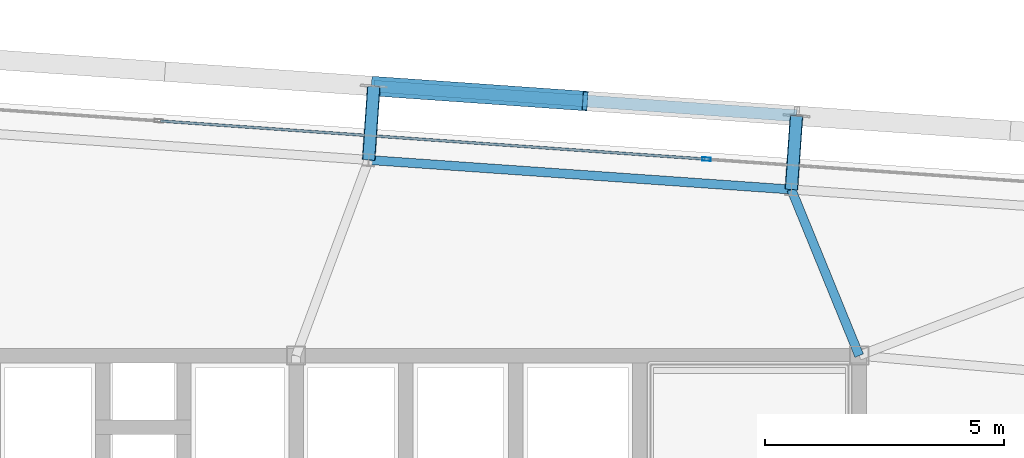
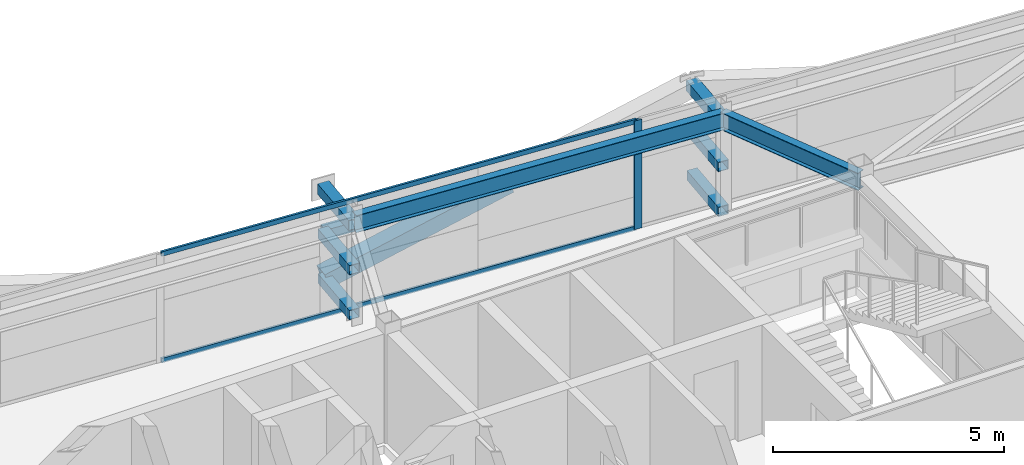
# One storey, part 23 of 39: 11 members, 2 beams, 1 element without a shape of its own.
"""IFC4 building model written with IfcOpenShell, lengths in metres."""

from ifc_helpers import new_model, si_unit, direction, frame, origin, origin_2d, place, context, subcontext, project, spatial, hollow_rectangle, i_section, extrude, source, transform, mapped, material, layer, layer_set, material_profile, profile_set, type_object, element, aggregate, save


model = new_model("IFC4")

# Units and contexts
model_context = context("Model", 3, precision=1e-05, world=origin(), true_north=direction((0.0, 1.0)))
body_context = subcontext(model_context, "Body", "Model", "MODEL_VIEW")
ifc_project = project(units=[si_unit("LENGTHUNIT", "METRE"), si_unit("AREAUNIT", "SQUARE_METRE"), si_unit("VOLUMEUNIT", "CUBIC_METRE"), si_unit("PLANEANGLEUNIT", "RADIAN"), si_unit("MASSUNIT", "GRAM", prefix="KILO")], contexts=[model_context])

# Site, building, storey
site_placement = place(None, origin())
site = spatial("IfcSite", under=ifc_project, at=site_placement, CompositionType="ELEMENT")
building_placement = place(site_placement, origin())
building = spatial("IfcBuilding", under=site, at=building_placement, Name="Taldren Reach Tower", CompositionType="ELEMENT")
storey_placement = place(building_placement, frame((0.0, 0.0, 161.35009765625)))
storey = spatial("IfcBuildingStorey", under=building, at=storey_placement, Name="L49", CompositionType="ELEMENT", Elevation=161.35009765625)

# Members
ifc_material_1 = material(Name="Steel Gr 450 (C450L0)", Category="steel")
ifc_material_profile_1 = material_profile(ifc_material_1, hollow_rectangle(XDim=0.27490234375, YDim=0.27490234375, WallThickness=0.00927734375, at=origin_2d()), Name="275x275x9.3SHS")
ifc_profile_set_1 = profile_set([ifc_material_profile_1], Name="Steel Gr 450 (C450L0)")
member_type_1 = type_object("IfcMemberType", Name="MB-TIE273", PredefinedType="STRUT", material=ifc_profile_set_1)
shared_shape_1 = source(origin(), body_context, "Body", "SweptSolid", [
    extrude(hollow_rectangle(XDim=0.27490234375, YDim=0.27490234375, WallThickness=0.00927734375, at=origin_2d()), origin(), (0.0, 0.0, 1.0), 1.550048828125),
])
for number, where, z_axis, x_axis, name in (
    (1, (40.7197265625, 36.100341796875, 2.58984375), (0.06976957191, 0.99756313426, 0.0), (-0.99756313426, 0.06976957191, 0.0), "Exoskeleton diaphragm tie strut B3-N4 L49"),
    (2, (49.578125, 35.48095703125, 2.58984375), (0.06976957191, 0.99756313426, 0.0), (-0.99756313426, 0.06976957191, 0.0), "Exoskeleton diaphragm tie strut B3-N5 L49"),
):
    element("IfcMember", number, at=place(storey_placement, frame(where, z_axis=z_axis, x_axis=x_axis)), inside=storey, type_object=member_type_1, Name=name, PredefinedType="STRUT", context=body_context, shape_type="MappedRepresentation", body=[
        mapped(shared_shape_1, transform((0.0, 0.0, 0.0), scale=1.0)),
    ])
ifc_material_2 = material(Name="Steel Gr 350 (C350L0)", Category="steel")
ifc_material_profile_2 = material_profile(ifc_material_2, hollow_rectangle(XDim=0.25, YDim=0.25, WallThickness=0.010009765625, at=origin_2d()), Name="250x250x10.0SHS")
ifc_profile_set_2 = profile_set([ifc_material_profile_2], Name="Steel Gr 350 (C350L0)")
member_type_2 = type_object("IfcMemberType", Name="MB-POST250", PredefinedType="POST", material=ifc_profile_set_2)
shared_shape_2 = source(origin(), body_context, "Body", "SweptSolid", [
    extrude(hollow_rectangle(XDim=0.25, YDim=0.25, WallThickness=0.010009765625, at=origin_2d()), origin(), (0.0, 0.0, 1.0), 1.550048828125),
])
for number, where, z_axis, x_axis, name in (
    (3, (40.7197265625, 36.100341796875, 0.219970703125), (0.06976957191, 0.99756313426, 0.0), (-0.99756313426, 0.06976957191, 0.0), "Exoskeleton base diaphragm tie strut B3-N4 L49"),
    (4, (49.578125, 35.48095703125, 0.219970703125), (0.06976957191, 0.99756313426, 0.0), (-0.99756313426, 0.06976957191, 0.0), "Exoskeleton base diaphragm tie strut B3-N5 L49"),
    (5, (40.7197265625, 36.100341796875, 1.40478515625), (0.06976957191, 0.99756313426, 0.0), (-0.99756313426, 0.06976957191, 0.0), "Exoskeleton mid-tier diaphragm tie B3-N4 L49"),
    (6, (49.578125, 35.48095703125, 1.40478515625), (0.06976957191, 0.99756313426, 0.0), (-0.99756313426, 0.06976957191, 0.0), "Exoskeleton mid-tier diaphragm tie B3-N5 L49"),
):
    element("IfcMember", number, at=place(storey_placement, frame(where, z_axis=z_axis, x_axis=x_axis)), inside=storey, type_object=member_type_2, Name=name, PredefinedType="POST", context=body_context, shape_type="MappedRepresentation", body=[
        mapped(shared_shape_2, transform((0.0, 0.0, 0.0), scale=1.0)),
    ])

# Beams
ifc_material_3 = material(Name="Steel Gr 350 (350PLUS)", Category="steel")
ifc_material_profile_3 = material_profile(ifc_material_3, i_section(OverallWidth=0.18994140625, OverallDepth=0.4541015625, WebThickness=0.008544921875, FlangeThickness=0.0126953125, at=origin_2d()), Name="460UB67.1")
ifc_profile_set_3 = profile_set([ifc_material_profile_3], Name="Steel Gr 350 (350PLUS)")
beam_type_1 = type_object("IfcBeamType", Name="SP-UB460B", PredefinedType="SPANDREL", material=ifc_profile_set_3)
shared_shape_3 = source(origin(), body_context, "Body", "SweptSolid", [
    extrude(i_section(OverallWidth=0.18994140625, OverallDepth=0.4541015625, WebThickness=0.008544921875, FlangeThickness=0.0126953125, at=origin_2d()), origin(), (0.0, 0.0, 1.0), 8.880126953125),
])
beam_1_placement = place(storey_placement, frame((49.578125, 35.48095703125, 2.642822265625), z_axis=(-0.997564479639, 0.069750333063, 0.0), x_axis=(-0.069750333063, -0.997564479639, 0.0)))
element("IfcBeam", 7, at=beam_1_placement, inside=storey, type_object=beam_type_1, Name="Perimeter spandrel B3 N5-N4 L49", PredefinedType="SPANDREL", context=body_context, shape_type="MappedRepresentation", body=[
    mapped(shared_shape_3, transform((0.0, 0.0, 0.0), scale=1.0)),
])
ifc_material_profile_4 = material_profile(ifc_material_3, i_section(OverallWidth=0.19091796875, OverallDepth=0.4599609375, WebThickness=0.010009765625, FlangeThickness=0.01611328125, at=origin_2d()), Name="460UB82.1")
ifc_profile_set_4 = profile_set([ifc_material_profile_4], Name="Steel Gr 350 (350PLUS)")
beam_type_2 = type_object("IfcBeamType", Name="BM-UB460A", PredefinedType="BEAM", material=ifc_profile_set_4)
shared_shape_4 = source(origin(), body_context, "Body", "SweptSolid", [
    extrude(i_section(OverallWidth=0.19091796875, OverallDepth=0.4599609375, WebThickness=0.010009765625, FlangeThickness=0.01611328125, at=origin_2d()), origin(), (0.0, 0.0, 1.0), 3.76025390625),
])
beam_2_placement = place(storey_placement, frame((51.0, 32.0, 2.639892578125), z_axis=(-0.37814232545, 0.925747471886, 0.0), x_axis=(-0.925747471886, -0.37814232545, 0.0)))
element("IfcBeam", 8, at=beam_2_placement, inside=storey, type_object=beam_type_2, Name="Primary floor girder B3-N5 L49", PredefinedType="BEAM", context=body_context, shape_type="MappedRepresentation", body=[
    mapped(shared_shape_4, transform((0.0, 0.0, 0.0), scale=1.0)),
])

# Members
shared_shape_5 = source(origin(), body_context, "Body", "SweptSolid", [
    extrude(hollow_rectangle(XDim=0.25, YDim=0.25, WallThickness=0.010009765625, at=origin_2d()), origin(), (0.0, 0.0, 1.0), 8.880126953125),
])
member_1_placement = place(storey_placement, frame((40.827880859375, 37.646728515625, 1.40478515625), z_axis=(0.997564479639, -0.069750333063, 0.0), x_axis=(0.069750333063, 0.997564479639, 0.0)))
element("IfcMember", 9, at=member_1_placement, inside=storey, type_object=member_type_2, Name="Exoskeleton mid-height ring chord B3-N4 L49", PredefinedType="POST", context=body_context, shape_type="MappedRepresentation", body=[
    mapped(shared_shape_5, transform((0.0, 0.0, 0.0), scale=1.0)),
])
ifc_material_profile_5 = material_profile(ifc_material_1, hollow_rectangle(XDim=0.409912109375, YDim=0.409912109375, WallThickness=0.01611328125, at=origin_2d()), Name="410x410x16.0SHS")
ifc_profile_set_5 = profile_set([ifc_material_profile_5], Name="Steel Gr 450 (C450L0)")
member_type_3 = type_object("IfcMemberType", Name="MB-EXO406", PredefinedType="BRACE", material=ifc_profile_set_5)
shared_shape_6 = source(origin(), body_context, "Body", "SweptSolid", [
    extrude(hollow_rectangle(XDim=0.409912109375, YDim=0.409912109375, WallThickness=0.01611328125, at=origin_2d()), origin(), (0.0, 0.0, 1.0), 4.595458984375),
])
member_2_placement = place(storey_placement, frame((40.827880859375, 37.646728515625, 0.219970703125), z_axis=(0.963836084766, -0.06741858624, 0.257826949585), x_axis=(0.06977769246, 0.997562566276, 0.0)))
element("IfcMember", 10, at=member_2_placement, inside=storey, type_object=member_type_3, Name="Exoskeleton Diagrid Brace B3-N4 L49", PredefinedType="BRACE", context=body_context, shape_type="MappedRepresentation", body=[
    mapped(shared_shape_6, transform((0.0, 0.0, 0.0), scale=1.0)),
])

# Curtain wall, members
ifc_material_4 = material(Name="Aluminium and Low-E Glass Unitised System", Category="aluminium")
ifc_layer = layer(ifc_material_4, 0.159912109375)
ifc_layer_set = layer_set([ifc_layer], Name="Aluminium and Low-E Glass Unitised System")
curtain_wall_type = type_object("IfcCurtainWallType", Name="CW-SYS-4", PredefinedType="NOTDEFINED", material=ifc_layer_set)
curtain_wall_placement = place(storey_placement, origin())
curtain_wall = element("IfcCurtainWall", 11, at=curtain_wall_placement, inside=storey, type_object=curtain_wall_type, Name="Unitised curtain wall CW-L49-N", PredefinedType="NOTDEFINED")
ifc_material_5 = material(Name="Anodised Aluminium 6063-T6", Category="aluminium")
ifc_material_profile_6 = material_profile(ifc_material_5, hollow_rectangle(XDim=0.054931640625, YDim=0.1201171875, WallThickness=0.0029296875, at=origin_2d()), Name="ALU-120x55x3RHS")
ifc_profile_set_6 = profile_set([ifc_material_profile_6], Name="Anodised Aluminium 6063-T6")
member_type_4 = type_object("IfcMemberType", Name="CW-TRN-135", PredefinedType="USERDEFINED", material=ifc_profile_set_6)
shared_shape_7 = source(origin(), body_context, "Body", "SweptSolid", [
    extrude(hollow_rectangle(XDim=0.054931640625, YDim=0.1201171875, WallThickness=0.0029296875, at=origin_2d()), origin(), (0.0, 0.0, 1.0), 11.429931640625),
])
member_3_placement = place(storey_placement, frame((47.76318359375, 36.119140625, 0.02734375), z_axis=(-0.997563740938, 0.069760897114, 0.0), x_axis=(-0.069760897114, -0.997563740938, 0.0)))
member_3 = element("IfcMember", 12, at=member_3_placement, type_object=member_type_4, Name="CW-4 transom 2.1", ObjectType="TRANSOM", PredefinedType="USERDEFINED", context=body_context, shape_type="MappedRepresentation", body=[
    mapped(shared_shape_7, transform((0.0, 0.0, 0.0), scale=1.0)),
])
member_4_placement = place(storey_placement, frame((47.76318359375, 36.119140625, 2.84228515625), z_axis=(-0.997563740938, 0.069760897114, 0.0), x_axis=(-0.069760897114, -0.997563740938, 0.0)))
member_4 = element("IfcMember", 13, at=member_4_placement, type_object=member_type_4, Name="CW-4 transom 2.2", ObjectType="TRANSOM", PredefinedType="USERDEFINED", context=body_context, shape_type="MappedRepresentation", body=[
    mapped(shared_shape_7, transform((0.0, 0.0, 0.0), scale=1.0)),
])
ifc_material_profile_7 = material_profile(ifc_material_5, hollow_rectangle(XDim=0.070068359375, YDim=0.179931640625, WallThickness=0.00390625, at=origin_2d()), Name="ALU-180x70x4RHS")
ifc_profile_set_7 = profile_set([ifc_material_profile_7], Name="Anodised Aluminium 6063-T6")
member_type_5 = type_object("IfcMemberType", Name="CW-MUL-180", PredefinedType="MULLION", material=ifc_profile_set_7)
shared_shape_8 = source(origin(), body_context, "Body", "SweptSolid", [
    extrude(hollow_rectangle(XDim=0.070068359375, YDim=0.179931640625, WallThickness=0.00390625, at=origin_2d()), origin(), (0.0, 0.0, 1.0), 2.869873046875),
])
member_5_placement = place(storey_placement, frame((47.798095703125, 36.11669921875, 0.0), z_axis=(0.0, 0.0, 1.0), x_axis=(-0.06975651593, -0.99756404731, 0.0)))
member_5 = element("IfcMember", 14, at=member_5_placement, type_object=member_type_5, Name="CW-4 mullion 2", PredefinedType="MULLION", context=body_context, shape_type="MappedRepresentation", body=[
    mapped(shared_shape_8, transform((0.0, 0.0, 0.0), scale=1.0)),
])
aggregate(curtain_wall, [member_5, member_3, member_4])

save(model, "model.ifc")
